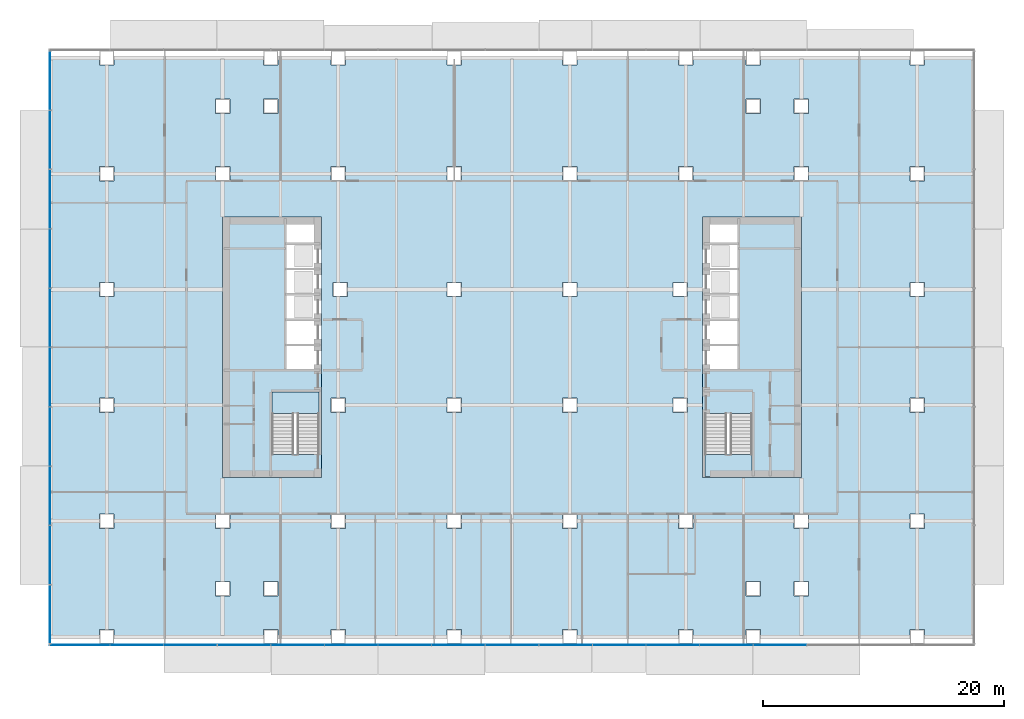
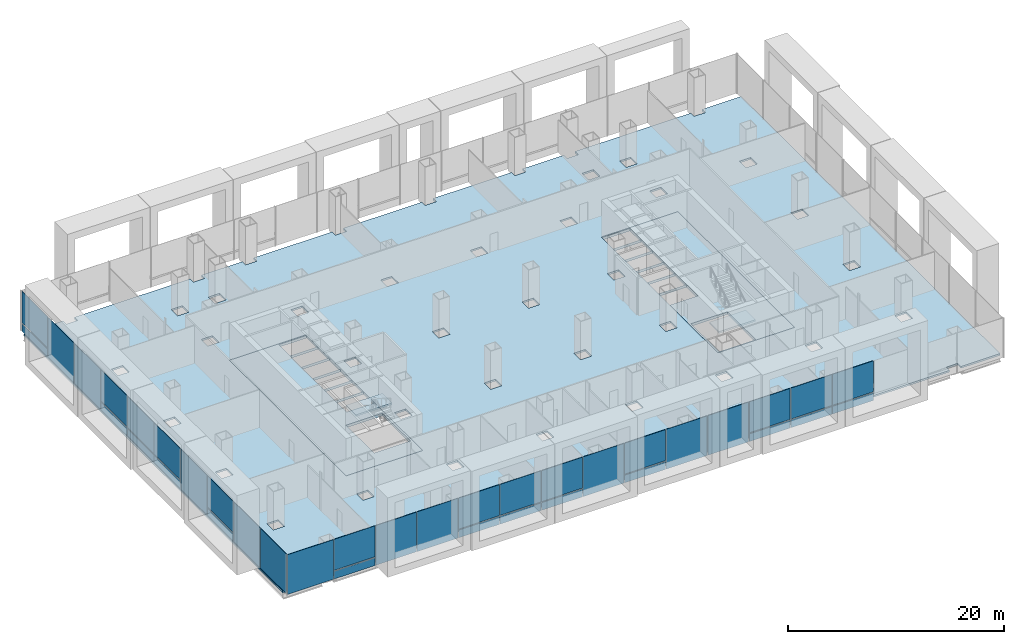
# One storey, part 12 of 23: 37 plates, 5 slabs, 4 elements without a shape of their own.
"""IFC4 building model written with IfcOpenShell, lengths in metres."""

import ifcopenshell
import ifcopenshell.guid

model = None  # the IFC model being written
_history = None  # IfcOwnerHistory: only IFC2X3 demands one
_inside = {}  # id of a spatial element -> (the spatial element, [elements in it])
_under = {}  # id of a project, library or spatial element -> (it, [spatial elements below it])
_declared = {}  # id of a project -> (the project, [libraries it declares])
_typed = {}  # id of a type object -> (the type object, [elements of that type])
_made_of = {}  # id of a material, layer set ... -> (it, [elements and type objects made of it])


def new_model(schema):
    """Start an empty IFC model of exactly this schema.

    Asked for "IFC4X3", IfcOpenShell would pick the latest addendum, in which some entities
    have other attributes; the version numbers below select the first issue.
    IFC2X3 requires an IfcOwnerHistory on every rooted entity: one is made here for all.
    """
    global model, _history
    if schema == "IFC4X3":
        model = ifcopenshell.file(schema_version=(4, 3, 0, 0))
    else:
        model = ifcopenshell.file(schema=schema)
    _inside.clear()
    _under.clear()
    _declared.clear()
    _typed.clear()
    _made_of.clear()
    _history = None
    if model.schema == "IFC2X3":
        org = make("IfcOrganization", Name="unknown")
        user = make(
            "IfcPersonAndOrganization",
            ThePerson=make("IfcPerson", FamilyName="unknown"),
            TheOrganization=org,
        )
        app = make(
            "IfcApplication",
            ApplicationDeveloper=org,
            Version="unknown",
            ApplicationFullName="unknown",
            ApplicationIdentifier="unknown",
        )
        _history = make(
            "IfcOwnerHistory",
            OwningUser=user,
            OwningApplication=app,
            ChangeAction="ADDED",
            CreationDate=0,
        )
    return model


def make(cls, **values):
    """One entity of the class cls with the attributes given. An attribute that is None is left unset."""
    return model.create_entity(
        cls, **{name: value for name, value in values.items() if value is not None}
    )


def rooted(cls, **values):
    """An entity with a GlobalId (a new one), such as an element, a storey or a relation."""
    return make(cls, GlobalId=ifcopenshell.guid.new(), OwnerHistory=_history, **values)


def si_unit(unit_type, name, prefix=None):
    """IfcSIUnit, for example si_unit("LENGTHUNIT", "METRE", prefix="MILLI")."""
    return make("IfcSIUnit", UnitType=unit_type, Prefix=prefix, Name=name)


def assignment(units):
    """IfcUnitAssignment: the units of a project."""
    return None if units is None else make("IfcUnitAssignment", Units=units)


def point(xyz):
    """IfcCartesianPoint."""
    return None if xyz is None else make("IfcCartesianPoint", Coordinates=xyz)


def direction(xyz):
    """IfcDirection."""
    return None if xyz is None else make("IfcDirection", DirectionRatios=xyz)


def frame(location, z_axis=None, x_axis=None):
    """IfcAxis2Placement3D, a coordinate frame: its origin and axes. An axis left out is left unset."""
    return make(
        "IfcAxis2Placement3D",
        Location=point(location),
        Axis=direction(z_axis),
        RefDirection=direction(x_axis),
    )


def frame_2d(location, x_axis=None):
    """IfcAxis2Placement2D, a coordinate frame in the plane: its origin and x axis."""
    return make(
        "IfcAxis2Placement2D", Location=point(location), RefDirection=direction(x_axis)
    )


def origin():
    """The frame at (0, 0, 0) with its axes left unset."""
    return frame((0.0, 0.0, 0.0))


def origin_2d():
    """The frame at (0, 0) in the plane with its x axis left unset."""
    return frame_2d((0.0, 0.0))


def place(relative_to, where):
    """IfcLocalPlacement: puts the frame where relative to a parent placement (None: the world)."""
    return make(
        "IfcLocalPlacement", PlacementRelTo=relative_to, RelativePlacement=where
    )


def context(
    kind, dimensions, precision=None, world=None, true_north=None, identifier=None
):
    """IfcGeometricRepresentationContext, for example the 3D "Model" context."""
    return make(
        "IfcGeometricRepresentationContext",
        ContextIdentifier=identifier,
        ContextType=kind,
        CoordinateSpaceDimension=dimensions,
        Precision=precision,
        WorldCoordinateSystem=world,
        TrueNorth=true_north,
    )


def subcontext(parent, identifier, kind, view, scale=None):
    """IfcGeometricRepresentationSubContext, for example "Body" below "Model"."""
    return make(
        "IfcGeometricRepresentationSubContext",
        ContextIdentifier=identifier,
        ContextType=kind,
        ParentContext=parent,
        TargetScale=scale,
        TargetView=view,
    )


def project(units=None, contexts=None):
    """IfcProject with its units and contexts."""
    return rooted(
        "IfcProject",
        Name="project",
        RepresentationContexts=contexts,
        UnitsInContext=assignment(units),
    )


def spatial(cls, under=None, at=None, **own):
    """A site, building, storey or space (cls), placed at a placement, below another one or the project."""
    s = rooted(cls, ObjectPlacement=at, **own)
    if under is not None:
        _under.setdefault(under.id(), (under, []))[1].append(s)
    return s


def polyline(points):
    """IfcPolyline through the points."""
    return make("IfcPolyline", Points=[point(p) for p in points])


def profile(cls, at=None, kind="AREA", **sizes):
    """A parametric profile (cls). Its sizes go by their IFC names, for example OverallWidth=200.0."""
    return make(cls, ProfileType=kind, Position=at, **sizes)


def rectangle(**sizes):
    """IfcRectangleProfileDef."""
    return profile("IfcRectangleProfileDef", **sizes)


def outline(outer, holes=None, kind="AREA"):
    """IfcArbitraryClosedProfileDef: a profile drawn as a closed curve; with holes, ...WithVoids."""
    if holes is None:
        return make("IfcArbitraryClosedProfileDef", ProfileType=kind, OuterCurve=outer)
    return make(
        "IfcArbitraryProfileDefWithVoids",
        ProfileType=kind,
        OuterCurve=outer,
        InnerCurves=holes,
    )


def extrude(swept, where, along, depth):
    """IfcExtrudedAreaSolid: the profile swept, set in the frame where, extruded along a direction by depth."""
    return make(
        "IfcExtrudedAreaSolid",
        SweptArea=swept,
        Position=where,
        ExtrudedDirection=direction(along),
        Depth=depth,
    )


def shape(context_of_items, identifier, shape_type, items):
    """IfcShapeRepresentation: the items that make up one representation, for example the "Body"."""
    return make(
        "IfcShapeRepresentation",
        ContextOfItems=context_of_items,
        RepresentationIdentifier=identifier,
        RepresentationType=shape_type,
        Items=items,
    )


def material(Name=None, Category=None):
    """IfcMaterial."""
    return make("IfcMaterial", Name=Name, Category=Category)


def layer(
    of_material, thickness, ventilated=None, Name=None, Category=None, Priority=None
):
    """IfcMaterialLayer: one layer of a wall or slab, of a material (None: an air gap)."""
    return make(
        "IfcMaterialLayer",
        Material=of_material,
        LayerThickness=thickness,
        IsVentilated=ventilated,
        Name=Name,
        Category=Category,
        Priority=Priority,
    )


def layer_set(layers, Name=None):
    """IfcMaterialLayerSet."""
    return make("IfcMaterialLayerSet", MaterialLayers=layers, LayerSetName=Name)


def made_of(thing, what):
    """Note that an element or type object is made of a material, layer set ...; save() writes the relation."""
    if what is not None:
        _made_of.setdefault(what.id(), (what, []))[1].append(thing)
    return thing


def type_object(cls, material=None, **own):
    """A type object (cls), such as IfcWallType, which elements share."""
    return made_of(rooted(cls, **own), material)


def element(
    cls,
    number,
    at=None,
    inside=None,
    cuts=None,
    type_object=None,
    material=None,
    context=None,
    identifier="Body",
    shape_type=None,
    held_by="IfcProductDefinitionShape",
    body=None,
    shapes=None,
    **own,
):
    """One element of the class cls, such as IfcWall. Its Tag is "e" and its number.

    at: its placement. inside: the storey or other place that contains it. cuts: it is an
    opening in that element (IfcRelVoidsElement). A single representation is given by context,
    identifier, shape_type and body (its items); several are given by shapes. held_by: the class
    of the entity that holds the representations. save() writes the other relations.
    """
    e = rooted(cls, Tag="e%d" % number, ObjectPlacement=at, **own)
    if body is not None:
        shapes = [shape(context, identifier, shape_type, body)]
    if shapes is not None:
        e.Representation = make(held_by, Representations=shapes)
    if inside is not None:
        _inside.setdefault(inside.id(), (inside, []))[1].append(e)
    if cuts is not None:
        rooted(
            "IfcRelVoidsElement", RelatingBuildingElement=cuts, RelatedOpeningElement=e
        )
    if type_object is not None:
        _typed.setdefault(type_object.id(), (type_object, []))[1].append(e)
    return made_of(e, material)


def aggregate(whole, parts):
    """IfcRelAggregates: a whole, such as a stair, and the parts it consists of."""
    return rooted("IfcRelAggregates", RelatingObject=whole, RelatedObjects=parts)


def save(model, path):
    """Write the relations noted so far, then the file.

    IfcRelAggregates (storeys below a building ...), IfcRelContainedInSpatialStructure (elements
    in a storey), IfcRelDefinesByType, IfcRelAssociatesMaterial and IfcRelDeclares: one each for
    every whole, place, type object, material and project.
    """
    for whole, parts in _under.values():
        aggregate(whole, parts)
    for where, things in _inside.values():
        rooted(
            "IfcRelContainedInSpatialStructure",
            RelatedElements=things,
            RelatingStructure=where,
        )
    for kind, things in _typed.values():
        rooted("IfcRelDefinesByType", RelatedObjects=things, RelatingType=kind)
    for what, things in _made_of.values():
        rooted("IfcRelAssociatesMaterial", RelatedObjects=things, RelatingMaterial=what)
    for by, libraries in _declared.values():
        rooted("IfcRelDeclares", RelatingContext=by, RelatedDefinitions=libraries)
    model.write(path)


model = new_model("IFC4")

# Units and contexts
model_context = context("Model", 3, precision=1e-05, world=origin(), true_north=direction((0.0, 1.0)))
body_context = subcontext(model_context, "Body", "Model", "MODEL_VIEW")
ifc_project = project(units=[si_unit("LENGTHUNIT", "METRE"), si_unit("AREAUNIT", "SQUARE_METRE"), si_unit("VOLUMEUNIT", "CUBIC_METRE"), si_unit("PLANEANGLEUNIT", "RADIAN"), si_unit("MASSUNIT", "GRAM", prefix="KILO")], contexts=[model_context])

# Site, building, storey
site_placement = place(None, origin())
site = spatial("IfcSite", under=ifc_project, at=site_placement, CompositionType="ELEMENT")
building_placement = place(site_placement, origin())
building = spatial("IfcBuilding", under=site, at=building_placement, Name="Cobrizo Arcos Hotel Tower", CompositionType="ELEMENT")
storey_placement = place(building_placement, frame((0.0, 0.0, 24.5)))
storey = spatial("IfcBuildingStorey", under=building, at=storey_placement, Name="L04", CompositionType="ELEMENT", Elevation=24.5)

# Curtain wall, plates
ifc_material_1 = material(Name="Aluminium 6063-T6 anodised bronze", Category="aluminium")
curtain_wall_type_1 = type_object("IfcCurtainWallType", Name="CW-A guest facade", PredefinedType="NOTDEFINED", material=ifc_material_1)
curtain_wall_1_placement = place(storey_placement, origin())
curtain_wall_1 = element("IfcCurtainWall", 1, at=curtain_wall_1_placement, inside=storey, type_object=curtain_wall_type_1, Name="CW-A L04 S face", PredefinedType="NOTDEFINED")
ifc_material_2 = material(Name="Glass clear laminated low-e", Category="glass")
ifc_layer_1 = layer(ifc_material_2, 0.0400390625)
ifc_layer_set_1 = layer_set([ifc_layer_1], Name="CW-A glass panel")
plate_type_1 = type_object("IfcPlateType", Name="CW-A glass panel", PredefinedType="CURTAIN_PANEL", material=ifc_layer_set_1)
plate_1_placement = place(storey_placement, frame((-31.111083984375, -24.675048828125, 0.990234375), z_axis=(0.0, 0.0, 1.0), x_axis=(1.0, 0.0, 0.0)))
plate_1 = element("IfcPlate", 2, at=plate_1_placement, type_object=plate_type_1, Name="CW-A glass panel 253", PredefinedType="CURTAIN_PANEL", context=body_context, shape_type="SweptSolid", body=[
    extrude(rectangle(XDim=4.384521484375, YDim=0.0400390625, at=origin_2d()), origin(), (0.0, 0.0, 1.0), 3.510009765625),
])
plate_2_placement = place(storey_placement, frame((-17.77783203125, -24.675048828125, 0.990234375), z_axis=(0.0, 0.0, 1.0), x_axis=(1.0, 0.0, 0.0)))
plate_2 = element("IfcPlate", 3, at=plate_2_placement, type_object=plate_type_1, Name="CW-A glass panel 256", PredefinedType="CURTAIN_PANEL", context=body_context, shape_type="SweptSolid", body=[
    extrude(rectangle(XDim=4.384521484375, YDim=0.0400390625, at=origin_2d()), origin(), (0.0, 0.0, 1.0), 3.510009765625),
])
plate_3_placement = place(storey_placement, frame((-13.333251953125, -24.675048828125, 0.990234375), z_axis=(0.0, 0.0, 1.0), x_axis=(1.0, 0.0, 0.0)))
plate_3 = element("IfcPlate", 4, at=plate_3_placement, type_object=plate_type_1, Name="CW-A glass panel 257", PredefinedType="CURTAIN_PANEL", context=body_context, shape_type="SweptSolid", body=[
    extrude(rectangle(XDim=4.384521484375, YDim=0.0400390625, at=origin_2d()), origin(), (0.0, 0.0, 1.0), 3.510009765625),
])
plate_4_placement = place(storey_placement, frame((-8.888916015625, -24.675048828125, 0.990234375), z_axis=(0.0, 0.0, 1.0), x_axis=(1.0, 0.0, 0.0)))
plate_4 = element("IfcPlate", 5, at=plate_4_placement, type_object=plate_type_1, Name="CW-A glass panel 258", PredefinedType="CURTAIN_PANEL", context=body_context, shape_type="SweptSolid", body=[
    extrude(rectangle(XDim=4.384521484375, YDim=0.0400390625, at=origin_2d()), origin(), (0.0, 0.0, 1.0), 3.510009765625),
])
plate_5_placement = place(storey_placement, frame((0.0, -24.675048828125, 0.990234375), z_axis=(0.0, 0.0, 1.0), x_axis=(1.0, 0.0, 0.0)))
plate_5 = element("IfcPlate", 6, at=plate_5_placement, type_object=plate_type_1, Name="CW-A glass panel 260", PredefinedType="CURTAIN_PANEL", context=body_context, shape_type="SweptSolid", body=[
    extrude(rectangle(XDim=4.384521484375, YDim=0.0400390625, at=origin_2d()), origin(), (0.0, 0.0, 1.0), 3.510009765625),
])
plate_6_placement = place(storey_placement, frame((13.333251953125, -24.675048828125, 0.990234375), z_axis=(0.0, 0.0, 1.0), x_axis=(1.0, 0.0, 0.0)))
plate_6 = element("IfcPlate", 7, at=plate_6_placement, type_object=plate_type_1, Name="CW-A glass panel 263", PredefinedType="CURTAIN_PANEL", context=body_context, shape_type="SweptSolid", body=[
    extrude(rectangle(XDim=4.384521484375, YDim=0.0400390625, at=origin_2d()), origin(), (0.0, 0.0, 1.0), 3.510009765625),
])
plate_7_placement = place(storey_placement, frame((17.77783203125, -24.675048828125, 0.990234375), z_axis=(0.0, 0.0, 1.0), x_axis=(1.0, 0.0, 0.0)))
plate_7 = element("IfcPlate", 8, at=plate_7_placement, type_object=plate_type_1, Name="CW-A glass panel 264", PredefinedType="CURTAIN_PANEL", context=body_context, shape_type="SweptSolid", body=[
    extrude(rectangle(XDim=4.384521484375, YDim=0.0400390625, at=origin_2d()), origin(), (0.0, 0.0, 1.0), 3.510009765625),
])
plate_8_placement = place(storey_placement, frame((22.22216796875, -24.675048828125, 0.990234375), z_axis=(0.0, 0.0, 1.0), x_axis=(1.0, 0.0, 0.0)))
plate_8 = element("IfcPlate", 9, at=plate_8_placement, type_object=plate_type_1, Name="CW-A glass panel 265", PredefinedType="CURTAIN_PANEL", context=body_context, shape_type="SweptSolid", body=[
    extrude(rectangle(XDim=4.384521484375, YDim=0.0400390625, at=origin_2d()), origin(), (0.0, 0.0, 1.0), 3.510009765625),
])
ifc_material_3 = material(Name="Aluminium composite panel pale metal", Category="aluminium")
ifc_layer_2 = layer(ifc_material_3, 0.0400390625)
ifc_layer_set_2 = layer_set([ifc_layer_2], Name="CW-A spandrel panel")
plate_type_2 = type_object("IfcPlateType", Name="CW-A spandrel panel", PredefinedType="CURTAIN_PANEL", material=ifc_layer_set_2)
plate_9_placement = place(storey_placement, frame((-35.839111328125, -24.675048828125, 0.0), z_axis=(0.0, 0.0, 1.0), x_axis=(1.0, 0.0, 0.0)))
plate_9 = element("IfcPlate", 10, at=plate_9_placement, type_object=plate_type_2, Name="CW-A spandrel panel 252", PredefinedType="CURTAIN_PANEL", context=body_context, shape_type="SweptSolid", body=[
    extrude(rectangle(XDim=4.95166015625, YDim=0.0400390625, at=origin_2d()), origin(), (0.0, 0.0, 1.0), 4.5),
])
plate_10_placement = place(storey_placement, frame((-31.111083984375, -24.675048828125, 0.0), z_axis=(0.0, 0.0, 1.0), x_axis=(1.0, 0.0, 0.0)))
plate_10 = element("IfcPlate", 11, at=plate_10_placement, type_object=plate_type_2, Name="CW-A spandrel panel 253", PredefinedType="CURTAIN_PANEL", context=body_context, shape_type="SweptSolid", body=[
    extrude(rectangle(XDim=4.384521484375, YDim=0.0400390625, at=origin_2d()), origin(), (0.0, 0.0, 1.0), 0.8701171875),
])
plate_11_placement = place(storey_placement, frame((-26.666748046875, -24.675048828125, 0.0), z_axis=(0.0, 0.0, 1.0), x_axis=(1.0, 0.0, 0.0)))
plate_11 = element("IfcPlate", 12, at=plate_11_placement, type_object=plate_type_2, Name="CW-A spandrel panel 254", PredefinedType="CURTAIN_PANEL", context=body_context, shape_type="SweptSolid", body=[
    extrude(rectangle(XDim=4.384521484375, YDim=0.0400390625, at=origin_2d()), origin(), (0.0, 0.0, 1.0), 4.5),
])
plate_12_placement = place(storey_placement, frame((-22.22216796875, -24.675048828125, 0.0), z_axis=(0.0, 0.0, 1.0), x_axis=(1.0, 0.0, 0.0)))
plate_12 = element("IfcPlate", 13, at=plate_12_placement, type_object=plate_type_2, Name="CW-A spandrel panel 255", PredefinedType="CURTAIN_PANEL", context=body_context, shape_type="SweptSolid", body=[
    extrude(rectangle(XDim=4.384521484375, YDim=0.0400390625, at=origin_2d()), origin(), (0.0, 0.0, 1.0), 4.5),
])
plate_13_placement = place(storey_placement, frame((-17.77783203125, -24.675048828125, 0.0), z_axis=(0.0, 0.0, 1.0), x_axis=(1.0, 0.0, 0.0)))
plate_13 = element("IfcPlate", 14, at=plate_13_placement, type_object=plate_type_2, Name="CW-A spandrel panel 256", PredefinedType="CURTAIN_PANEL", context=body_context, shape_type="SweptSolid", body=[
    extrude(rectangle(XDim=4.384521484375, YDim=0.0400390625, at=origin_2d()), origin(), (0.0, 0.0, 1.0), 0.8701171875),
])
plate_14_placement = place(storey_placement, frame((-13.333251953125, -24.675048828125, 0.0), z_axis=(0.0, 0.0, 1.0), x_axis=(1.0, 0.0, 0.0)))
plate_14 = element("IfcPlate", 15, at=plate_14_placement, type_object=plate_type_2, Name="CW-A spandrel panel 257", PredefinedType="CURTAIN_PANEL", context=body_context, shape_type="SweptSolid", body=[
    extrude(rectangle(XDim=4.384521484375, YDim=0.0400390625, at=origin_2d()), origin(), (0.0, 0.0, 1.0), 0.8701171875),
])
plate_15_placement = place(storey_placement, frame((-8.888916015625, -24.675048828125, 0.0), z_axis=(0.0, 0.0, 1.0), x_axis=(1.0, 0.0, 0.0)))
plate_15 = element("IfcPlate", 16, at=plate_15_placement, type_object=plate_type_2, Name="CW-A spandrel panel 258", PredefinedType="CURTAIN_PANEL", context=body_context, shape_type="SweptSolid", body=[
    extrude(rectangle(XDim=4.384521484375, YDim=0.0400390625, at=origin_2d()), origin(), (0.0, 0.0, 1.0), 0.8701171875),
])
plate_16_placement = place(storey_placement, frame((-4.4443359375, -24.675048828125, 0.0), z_axis=(0.0, 0.0, 1.0), x_axis=(1.0, 0.0, 0.0)))
plate_16 = element("IfcPlate", 17, at=plate_16_placement, type_object=plate_type_2, Name="CW-A spandrel panel 259", PredefinedType="CURTAIN_PANEL", context=body_context, shape_type="SweptSolid", body=[
    extrude(rectangle(XDim=4.384521484375, YDim=0.0400390625, at=origin_2d()), origin(), (0.0, 0.0, 1.0), 4.5),
])
plate_17_placement = place(storey_placement, frame((0.0, -24.675048828125, 0.0), z_axis=(0.0, 0.0, 1.0), x_axis=(1.0, 0.0, 0.0)))
plate_17 = element("IfcPlate", 18, at=plate_17_placement, type_object=plate_type_2, Name="CW-A spandrel panel 260", PredefinedType="CURTAIN_PANEL", context=body_context, shape_type="SweptSolid", body=[
    extrude(rectangle(XDim=4.384521484375, YDim=0.0400390625, at=origin_2d()), origin(), (0.0, 0.0, 1.0), 0.8701171875),
])
plate_18_placement = place(storey_placement, frame((4.4443359375, -24.675048828125, 0.0), z_axis=(0.0, 0.0, 1.0), x_axis=(1.0, 0.0, 0.0)))
plate_18 = element("IfcPlate", 19, at=plate_18_placement, type_object=plate_type_2, Name="CW-A spandrel panel 261", PredefinedType="CURTAIN_PANEL", context=body_context, shape_type="SweptSolid", body=[
    extrude(rectangle(XDim=4.384521484375, YDim=0.0400390625, at=origin_2d()), origin(), (0.0, 0.0, 1.0), 4.5),
])
plate_19_placement = place(storey_placement, frame((8.888916015625, -24.675048828125, 0.0), z_axis=(0.0, 0.0, 1.0), x_axis=(1.0, 0.0, 0.0)))
plate_19 = element("IfcPlate", 20, at=plate_19_placement, type_object=plate_type_2, Name="CW-A spandrel panel 262", PredefinedType="CURTAIN_PANEL", context=body_context, shape_type="SweptSolid", body=[
    extrude(rectangle(XDim=4.384521484375, YDim=0.0400390625, at=origin_2d()), origin(), (0.0, 0.0, 1.0), 4.5),
])
plate_20_placement = place(storey_placement, frame((13.333251953125, -24.675048828125, 0.0), z_axis=(0.0, 0.0, 1.0), x_axis=(1.0, 0.0, 0.0)))
plate_20 = element("IfcPlate", 21, at=plate_20_placement, type_object=plate_type_2, Name="CW-A spandrel panel 263", PredefinedType="CURTAIN_PANEL", context=body_context, shape_type="SweptSolid", body=[
    extrude(rectangle(XDim=4.384521484375, YDim=0.0400390625, at=origin_2d()), origin(), (0.0, 0.0, 1.0), 0.8701171875),
])
plate_21_placement = place(storey_placement, frame((17.77783203125, -24.675048828125, 0.0), z_axis=(0.0, 0.0, 1.0), x_axis=(1.0, 0.0, 0.0)))
plate_21 = element("IfcPlate", 22, at=plate_21_placement, type_object=plate_type_2, Name="CW-A spandrel panel 264", PredefinedType="CURTAIN_PANEL", context=body_context, shape_type="SweptSolid", body=[
    extrude(rectangle(XDim=4.384521484375, YDim=0.0400390625, at=origin_2d()), origin(), (0.0, 0.0, 1.0), 0.8701171875),
])
plate_22_placement = place(storey_placement, frame((22.22216796875, -24.675048828125, 0.0), z_axis=(0.0, 0.0, 1.0), x_axis=(1.0, 0.0, 0.0)))
plate_22 = element("IfcPlate", 23, at=plate_22_placement, type_object=plate_type_2, Name="CW-A spandrel panel 265", PredefinedType="CURTAIN_PANEL", context=body_context, shape_type="SweptSolid", body=[
    extrude(rectangle(XDim=4.384521484375, YDim=0.0400390625, at=origin_2d()), origin(), (0.0, 0.0, 1.0), 0.8701171875),
])
aggregate(curtain_wall_1, [plate_9, plate_10, plate_1, plate_11, plate_12, plate_13, plate_2, plate_14, plate_3, plate_15, plate_4, plate_16, plate_17, plate_5, plate_18, plate_19, plate_20, plate_6, plate_21, plate_7, plate_22, plate_8])

curtain_wall_type_2 = type_object("IfcCurtainWallType", Name="CW-B podium glazing", PredefinedType="NOTDEFINED", material=ifc_material_1)
curtain_wall_2_placement = place(storey_placement, origin())
curtain_wall_2 = element("IfcCurtainWall", 24, at=curtain_wall_2_placement, inside=storey, type_object=curtain_wall_type_2, Name="CW-B L04 W face", PredefinedType="NOTDEFINED")
ifc_layer_3 = layer(ifc_material_2, 0.0400390625)
ifc_layer_set_3 = layer_set([ifc_layer_3], Name="CW-B glass panel")
plate_type_3 = type_object("IfcPlateType", Name="CW-B glass panel", PredefinedType="CURTAIN_PANEL", material=ifc_layer_set_3)
plate_23_placement = place(storey_placement, frame((-38.300048828125, 22.1201171875, 0.97998046875), z_axis=(0.0, 0.0, 1.0), x_axis=(0.0, -1.0, 0.0)))
plate_23 = element("IfcPlate", 25, at=plate_23_placement, type_object=plate_type_3, Name="CW-B glass panel 242", PredefinedType="CURTAIN_PANEL", context=body_context, shape_type="SweptSolid", body=[
    extrude(rectangle(XDim=4.800048828125, YDim=0.0400390625, at=origin_2d()), origin(), (0.0, 0.0, 1.0), 3.52001953125),
])
plate_24_placement = place(storey_placement, frame((-38.300048828125, 7.3798828125, 0.97998046875), z_axis=(0.0, 0.0, 1.0), x_axis=(0.0, -1.0, 0.0)))
plate_24 = element("IfcPlate", 26, at=plate_24_placement, type_object=plate_type_3, Name="CW-B glass panel 245", PredefinedType="CURTAIN_PANEL", context=body_context, shape_type="SweptSolid", body=[
    extrude(rectangle(XDim=4.840087890625, YDim=0.0400390625, at=origin_2d()), origin(), (0.0, 0.0, 1.0), 3.52001953125),
])
plate_25_placement = place(storey_placement, frame((-38.300048828125, 2.4599609375, 0.97998046875), z_axis=(0.0, 0.0, 1.0), x_axis=(0.0, -1.0, 0.0)))
plate_25 = element("IfcPlate", 27, at=plate_25_placement, type_object=plate_type_3, Name="CW-B glass panel 246", PredefinedType="CURTAIN_PANEL", context=body_context, shape_type="SweptSolid", body=[
    extrude(rectangle(XDim=4.840087890625, YDim=0.0400390625, at=origin_2d()), origin(), (0.0, 0.0, 1.0), 3.52001953125),
])
plate_26_placement = place(storey_placement, frame((-38.300048828125, -2.4599609375, 0.97998046875), z_axis=(0.0, 0.0, 1.0), x_axis=(0.0, -1.0, 0.0)))
plate_26 = element("IfcPlate", 28, at=plate_26_placement, type_object=plate_type_3, Name="CW-B glass panel 247", PredefinedType="CURTAIN_PANEL", context=body_context, shape_type="SweptSolid", body=[
    extrude(rectangle(XDim=4.840087890625, YDim=0.0400390625, at=origin_2d()), origin(), (0.0, 0.0, 1.0), 3.52001953125),
])
plate_27_placement = place(storey_placement, frame((-38.300048828125, -12.300048828125, 0.97998046875), z_axis=(0.0, 0.0, 1.0), x_axis=(0.0, -1.0, 0.0)))
plate_27 = element("IfcPlate", 29, at=plate_27_placement, type_object=plate_type_3, Name="CW-B glass panel 249", PredefinedType="CURTAIN_PANEL", context=body_context, shape_type="SweptSolid", body=[
    extrude(rectangle(XDim=4.840087890625, YDim=0.0400390625, at=origin_2d()), origin(), (0.0, 0.0, 1.0), 3.52001953125),
])
ifc_layer_4 = layer(ifc_material_3, 0.06005859375)
ifc_layer_set_4 = layer_set([ifc_layer_4], Name="CW-B spandrel panel")
plate_type_4 = type_object("IfcPlateType", Name="CW-B spandrel panel", PredefinedType="CURTAIN_PANEL", material=ifc_layer_set_4)
plate_28_placement = place(storey_placement, frame((-38.300048828125, 22.1201171875, 0.0), z_axis=(0.0, 0.0, 1.0), x_axis=(0.0, -1.0, 0.0)))
plate_28 = element("IfcPlate", 30, at=plate_28_placement, type_object=plate_type_4, Name="CW-B spandrel panel 242", PredefinedType="CURTAIN_PANEL", context=body_context, shape_type="SweptSolid", body=[
    extrude(rectangle(XDim=4.800048828125, YDim=0.0400390625, at=origin_2d()), origin(), (0.0, 0.0, 1.0), 0.820068359375),
])
plate_29_placement = place(storey_placement, frame((-38.300048828125, 17.219970703125, 0.0), z_axis=(0.0, 0.0, 1.0), x_axis=(0.0, -1.0, 0.0)))
plate_29 = element("IfcPlate", 31, at=plate_29_placement, type_object=plate_type_4, Name="CW-B spandrel panel 243", PredefinedType="CURTAIN_PANEL", context=body_context, shape_type="SweptSolid", body=[
    extrude(rectangle(XDim=4.840087890625, YDim=0.0400390625, at=origin_2d()), origin(), (0.0, 0.0, 1.0), 4.5),
])
plate_30_placement = place(storey_placement, frame((-38.300048828125, 12.300048828125, 0.0), z_axis=(0.0, 0.0, 1.0), x_axis=(0.0, -1.0, 0.0)))
plate_30 = element("IfcPlate", 32, at=plate_30_placement, type_object=plate_type_4, Name="CW-B spandrel panel 244", PredefinedType="CURTAIN_PANEL", context=body_context, shape_type="SweptSolid", body=[
    extrude(rectangle(XDim=4.840087890625, YDim=0.0400390625, at=origin_2d()), origin(), (0.0, 0.0, 1.0), 4.5),
])
plate_31_placement = place(storey_placement, frame((-38.300048828125, 7.3798828125, 0.0), z_axis=(0.0, 0.0, 1.0), x_axis=(0.0, -1.0, 0.0)))
plate_31 = element("IfcPlate", 33, at=plate_31_placement, type_object=plate_type_4, Name="CW-B spandrel panel 245", PredefinedType="CURTAIN_PANEL", context=body_context, shape_type="SweptSolid", body=[
    extrude(rectangle(XDim=4.840087890625, YDim=0.0400390625, at=origin_2d()), origin(), (0.0, 0.0, 1.0), 0.820068359375),
])
plate_32_placement = place(storey_placement, frame((-38.300048828125, 2.4599609375, 0.0), z_axis=(0.0, 0.0, 1.0), x_axis=(0.0, -1.0, 0.0)))
plate_32 = element("IfcPlate", 34, at=plate_32_placement, type_object=plate_type_4, Name="CW-B spandrel panel 246", PredefinedType="CURTAIN_PANEL", context=body_context, shape_type="SweptSolid", body=[
    extrude(rectangle(XDim=4.840087890625, YDim=0.0400390625, at=origin_2d()), origin(), (0.0, 0.0, 1.0), 0.820068359375),
])
plate_33_placement = place(storey_placement, frame((-38.300048828125, -2.4599609375, 0.0), z_axis=(0.0, 0.0, 1.0), x_axis=(0.0, -1.0, 0.0)))
plate_33 = element("IfcPlate", 35, at=plate_33_placement, type_object=plate_type_4, Name="CW-B spandrel panel 247", PredefinedType="CURTAIN_PANEL", context=body_context, shape_type="SweptSolid", body=[
    extrude(rectangle(XDim=4.840087890625, YDim=0.0400390625, at=origin_2d()), origin(), (0.0, 0.0, 1.0), 0.820068359375),
])
plate_34_placement = place(storey_placement, frame((-38.300048828125, -7.3798828125, 0.0), z_axis=(0.0, 0.0, 1.0), x_axis=(0.0, -1.0, 0.0)))
plate_34 = element("IfcPlate", 36, at=plate_34_placement, type_object=plate_type_4, Name="CW-B spandrel panel 248", PredefinedType="CURTAIN_PANEL", context=body_context, shape_type="SweptSolid", body=[
    extrude(rectangle(XDim=4.840087890625, YDim=0.0400390625, at=origin_2d()), origin(), (0.0, 0.0, 1.0), 4.5),
])
plate_35_placement = place(storey_placement, frame((-38.300048828125, -12.300048828125, 0.0), z_axis=(0.0, 0.0, 1.0), x_axis=(0.0, -1.0, 0.0)))
plate_35 = element("IfcPlate", 37, at=plate_35_placement, type_object=plate_type_4, Name="CW-B spandrel panel 249", PredefinedType="CURTAIN_PANEL", context=body_context, shape_type="SweptSolid", body=[
    extrude(rectangle(XDim=4.840087890625, YDim=0.0400390625, at=origin_2d()), origin(), (0.0, 0.0, 1.0), 0.820068359375),
])
plate_36_placement = place(storey_placement, frame((-38.300048828125, -17.219970703125, 0.0), z_axis=(0.0, 0.0, 1.0), x_axis=(0.0, -1.0, 0.0)))
plate_36 = element("IfcPlate", 38, at=plate_36_placement, type_object=plate_type_4, Name="CW-B spandrel panel 250", PredefinedType="CURTAIN_PANEL", context=body_context, shape_type="SweptSolid", body=[
    extrude(rectangle(XDim=4.840087890625, YDim=0.0400390625, at=origin_2d()), origin(), (0.0, 0.0, 1.0), 4.5),
])
plate_37_placement = place(storey_placement, frame((-38.300048828125, -22.1201171875, 0.0), z_axis=(0.0, 0.0, 1.0), x_axis=(0.0, -1.0, 0.0)))
plate_37 = element("IfcPlate", 39, at=plate_37_placement, type_object=plate_type_4, Name="CW-B spandrel panel 251", PredefinedType="CURTAIN_PANEL", context=body_context, shape_type="SweptSolid", body=[
    extrude(rectangle(XDim=4.800048828125, YDim=0.0400390625, at=origin_2d()), origin(), (0.0, 0.0, 1.0), 4.5),
])
aggregate(curtain_wall_2, [plate_28, plate_23, plate_29, plate_30, plate_31, plate_24, plate_32, plate_25, plate_33, plate_26, plate_34, plate_35, plate_27, plate_36, plate_37])

# Slabs
ifc_material_4 = material(Name="Concrete f'c 35 MPa", Category="concrete")
ifc_layer_5 = layer(ifc_material_4, 0.199951171875)
ifc_layer_set_5 = layer_set([ifc_layer_5], Name="Composite floor slab 200 f'c 35")
slab_type_1 = type_object("IfcSlabType", Name="Composite floor slab 200 f'c 35", PredefinedType="FLOOR", material=ifc_layer_set_5)
slab_1_placement = place(storey_placement, frame((0.0, 0.0, -0.199951171875)))
element("IfcSlab", 40, at=slab_1_placement, inside=storey, type_object=slab_type_1, Name="Floor slab S4, L04, no. 01", PredefinedType="FLOOR", context=body_context, shape_type="SweptSolid", body=[
    extrude(outline(polyline([(38.39990234375, 24.0), (38.39990234375, -24.0), (34.199951171875, -24.0), (34.199951171875, -23.39990234375), (33.0, -23.39990234375), (33.0, -24.0), (20.60009765625, -24.0), (20.60009765625, -23.39990234375), (19.39990234375, -23.39990234375), (19.39990234375, -24.0), (15.0, -24.0), (15.0, -23.39990234375), (13.800048828125, -23.39990234375), (13.800048828125, -24.0), (5.39990234375, -24.0), (5.39990234375, -23.39990234375), (4.199951171875, -23.39990234375), (4.199951171875, -24.0), (-4.199951171875, -24.0), (-4.199951171875, -23.39990234375), (-5.39990234375, -23.39990234375), (-5.39990234375, -24.0), (-13.800048828125, -24.0), (-13.800048828125, -23.39990234375), (-15.0, -23.39990234375), (-15.0, -24.0), (-19.39990234375, -24.0), (-19.39990234375, -23.39990234375), (-20.60009765625, -23.39990234375), (-20.60009765625, -24.0), (-33.0, -24.0), (-33.0, -23.39990234375), (-34.199951171875, -23.39990234375), (-34.199951171875, -24.0), (-38.39990234375, -24.0), (-38.39990234375, 24.0), (-34.199951171875, 24.0), (-34.199951171875, 23.39990234375), (-33.0, 23.39990234375), (-33.0, 24.0), (-20.60009765625, 24.0), (-20.60009765625, 23.39990234375), (-19.39990234375, 23.39990234375), (-19.39990234375, 24.0), (-15.0, 24.0), (-15.0, 23.39990234375), (-13.800048828125, 23.39990234375), (-13.800048828125, 24.0), (-5.39990234375, 24.0), (-5.39990234375, 23.39990234375), (-4.199951171875, 23.39990234375), (-4.199951171875, 24.0), (4.199951171875, 24.0), (4.199951171875, 23.39990234375), (5.39990234375, 23.39990234375), (5.39990234375, 24.0), (13.800048828125, 24.0), (13.800048828125, 23.39990234375), (15.0, 23.39990234375), (15.0, 24.0), (19.39990234375, 24.0), (19.39990234375, 23.39990234375), (20.60009765625, 23.39990234375), (20.60009765625, 24.0), (33.0, 24.0), (33.0, 23.39990234375), (34.199951171875, 23.39990234375), (34.199951171875, 24.0), (38.39990234375, 24.0)]), holes=[polyline([(-20.60009765625, -20.60009765625), (-19.39990234375, -20.60009765625), (-19.39990234375, -19.39990234375), (-20.60009765625, -19.39990234375), (-20.60009765625, -20.60009765625)]), polyline([(-23.39990234375, -20.60009765625), (-23.39990234375, -19.39990234375), (-24.60009765625, -19.39990234375), (-24.60009765625, -20.60009765625), (-23.39990234375, -20.60009765625)]), polyline([(-34.199951171875, -15.0), (-33.0, -15.0), (-33.0, -13.800048828125), (-34.199951171875, -13.800048828125), (-34.199951171875, -15.0)]), polyline([(-15.0, -15.0), (-13.800048828125, -15.0), (-13.800048828125, -13.800048828125), (-15.0, -13.800048828125), (-15.0, -15.0)]), polyline([(-23.39990234375, -15.0), (-23.39990234375, -13.800048828125), (-24.60009765625, -13.800048828125), (-24.60009765625, -15.0), (-23.39990234375, -15.0)]), polyline([(-15.0, -5.39990234375), (-13.800048828125, -5.39990234375), (-13.800048828125, -4.199951171875), (-15.0, -4.199951171875), (-15.0, -5.39990234375)]), polyline([(-34.199951171875, -5.39990234375), (-33.0, -5.39990234375), (-33.0, -4.199951171875), (-34.199951171875, -4.199951171875), (-34.199951171875, -5.39990234375)]), polyline([(-24.0, -10.800048828125), (-15.800048828125, -10.800048828125), (-15.800048828125, 10.800048828125), (-24.0, 10.800048828125), (-24.0, -10.800048828125)]), polyline([(-34.199951171875, 4.199951171875), (-33.0, 4.199951171875), (-33.0, 5.39990234375), (-34.199951171875, 5.39990234375), (-34.199951171875, 4.199951171875)]), polyline([(-24.60009765625, 13.800048828125), (-23.39990234375, 13.800048828125), (-23.39990234375, 15.0), (-24.60009765625, 15.0), (-24.60009765625, 13.800048828125)]), polyline([(-34.199951171875, 13.800048828125), (-33.0, 13.800048828125), (-33.0, 15.0), (-34.199951171875, 15.0), (-34.199951171875, 13.800048828125)]), polyline([(-13.800048828125, 13.800048828125), (-13.800048828125, 15.0), (-15.0, 15.0), (-15.0, 13.800048828125), (-13.800048828125, 13.800048828125)]), polyline([(-24.60009765625, 19.39990234375), (-23.39990234375, 19.39990234375), (-23.39990234375, 20.60009765625), (-24.60009765625, 20.60009765625), (-24.60009765625, 19.39990234375)]), polyline([(-20.60009765625, 19.39990234375), (-19.39990234375, 19.39990234375), (-19.39990234375, 20.60009765625), (-20.60009765625, 20.60009765625), (-20.60009765625, 19.39990234375)]), polyline([(13.800048828125, -15.0), (15.0, -15.0), (15.0, -13.800048828125), (13.800048828125, -13.800048828125), (13.800048828125, -15.0)]), polyline([(4.199951171875, -15.0), (5.39990234375, -15.0), (5.39990234375, -13.800048828125), (4.199951171875, -13.800048828125), (4.199951171875, -15.0)]), polyline([(-5.39990234375, -15.0), (-4.199951171875, -15.0), (-4.199951171875, -13.800048828125), (-5.39990234375, -13.800048828125), (-5.39990234375, -15.0)]), polyline([(-5.39990234375, -5.39990234375), (-4.199951171875, -5.39990234375), (-4.199951171875, -4.199951171875), (-5.39990234375, -4.199951171875), (-5.39990234375, -5.39990234375)]), polyline([(4.199951171875, -5.39990234375), (5.39990234375, -5.39990234375), (5.39990234375, -4.199951171875), (4.199951171875, -4.199951171875), (4.199951171875, -5.39990234375)]), polyline([(13.340087890625, -5.39990234375), (14.5400390625, -5.39990234375), (14.5400390625, -4.199951171875), (13.340087890625, -4.199951171875), (13.340087890625, -5.39990234375)]), polyline([(-4.199951171875, 4.199951171875), (-4.199951171875, 5.39990234375), (-5.39990234375, 5.39990234375), (-5.39990234375, 4.199951171875), (-4.199951171875, 4.199951171875)]), polyline([(4.199951171875, 4.199951171875), (5.39990234375, 4.199951171875), (5.39990234375, 5.39990234375), (4.199951171875, 5.39990234375), (4.199951171875, 4.199951171875)]), polyline([(-14.85009765625, 4.199951171875), (-13.64990234375, 4.199951171875), (-13.64990234375, 5.39990234375), (-14.85009765625, 5.39990234375), (-14.85009765625, 4.199951171875)]), polyline([(14.5400390625, 4.199951171875), (14.5400390625, 5.39990234375), (13.340087890625, 5.39990234375), (13.340087890625, 4.199951171875), (14.5400390625, 4.199951171875)]), polyline([(-5.39990234375, 13.800048828125), (-4.199951171875, 13.800048828125), (-4.199951171875, 15.0), (-5.39990234375, 15.0), (-5.39990234375, 13.800048828125)]), polyline([(4.199951171875, 13.800048828125), (5.39990234375, 13.800048828125), (5.39990234375, 15.0), (4.199951171875, 15.0), (4.199951171875, 13.800048828125)]), polyline([(23.39990234375, -20.60009765625), (24.60009765625, -20.60009765625), (24.60009765625, -19.39990234375), (23.39990234375, -19.39990234375), (23.39990234375, -20.60009765625)]), polyline([(20.60009765625, -20.60009765625), (20.60009765625, -19.39990234375), (19.39990234375, -19.39990234375), (19.39990234375, -20.60009765625), (20.60009765625, -20.60009765625)]), polyline([(23.39990234375, -15.0), (24.60009765625, -15.0), (24.60009765625, -13.800048828125), (23.39990234375, -13.800048828125), (23.39990234375, -15.0)]), polyline([(33.0, -15.0), (34.199951171875, -15.0), (34.199951171875, -13.800048828125), (33.0, -13.800048828125), (33.0, -15.0)]), polyline([(33.0, -5.39990234375), (34.199951171875, -5.39990234375), (34.199951171875, -4.199951171875), (33.0, -4.199951171875), (33.0, -5.39990234375)]), polyline([(15.800048828125, -10.800048828125), (24.0, -10.800048828125), (24.0, 10.800048828125), (15.800048828125, 10.800048828125), (15.800048828125, -10.800048828125)]), polyline([(33.0, 4.199951171875), (34.199951171875, 4.199951171875), (34.199951171875, 5.39990234375), (33.0, 5.39990234375), (33.0, 4.199951171875)]), polyline([(13.800048828125, 13.800048828125), (15.0, 13.800048828125), (15.0, 15.0), (13.800048828125, 15.0), (13.800048828125, 13.800048828125)]), polyline([(24.60009765625, 13.800048828125), (24.60009765625, 15.0), (23.39990234375, 15.0), (23.39990234375, 13.800048828125), (24.60009765625, 13.800048828125)]), polyline([(33.0, 13.800048828125), (34.199951171875, 13.800048828125), (34.199951171875, 15.0), (33.0, 15.0), (33.0, 13.800048828125)]), polyline([(19.39990234375, 19.39990234375), (20.60009765625, 19.39990234375), (20.60009765625, 20.60009765625), (19.39990234375, 20.60009765625), (19.39990234375, 19.39990234375)]), polyline([(23.39990234375, 19.39990234375), (24.60009765625, 19.39990234375), (24.60009765625, 20.60009765625), (23.39990234375, 20.60009765625), (23.39990234375, 19.39990234375)])]), origin(), (0.0, 0.0, 1.0), 0.199951171875),
])
ifc_material_5 = material(Name="Concrete f'c 60 MPa", Category="concrete")
ifc_layer_6 = layer(ifc_material_5, 0.300048828125)
ifc_layer_set_6 = layer_set([ifc_layer_6], Name="RC core floor slab 300 f'c 60")
slab_type_2 = type_object("IfcSlabType", Name="RC core floor slab 300 f'c 60", PredefinedType="FLOOR", material=ifc_layer_set_6)
slab_2_placement = place(storey_placement, frame((0.0, 0.0, -0.300048828125)))
element("IfcSlab", 41, at=slab_2_placement, inside=storey, type_object=slab_type_2, Name="Core floor slab CS2, east core, L04", PredefinedType="FLOOR", context=body_context, shape_type="SweptSolid", body=[
    extrude(outline(polyline([(15.800048828125, 10.800048828125), (24.0, 10.800048828125), (24.0, -10.800048828125), (15.800048828125, -10.800048828125), (15.800048828125, 10.800048828125)]), holes=[polyline([(19.89794921875, -10.697998046875), (19.89794921875, -5.501953125), (16.001953125, -5.501953125), (16.001953125, -10.697998046875), (19.89794921875, -10.697998046875)]), polyline([(15.802001953125, 0.197998046875), (15.802001953125, -1.89794921875), (18.798095703125, -1.89794921875), (18.798095703125, 0.197998046875), (15.802001953125, 0.197998046875)]), polyline([(18.798095703125, 2.298095703125), (15.802001953125, 2.298095703125), (15.802001953125, 0.201904296875), (18.798095703125, 0.201904296875), (18.798095703125, 2.298095703125)]), polyline([(18.798095703125, 4.39794921875), (15.802001953125, 4.39794921875), (15.802001953125, 2.302001953125), (18.798095703125, 2.302001953125), (18.798095703125, 4.39794921875)]), polyline([(15.802001953125, 6.498046875), (15.802001953125, 4.402099609375), (18.798095703125, 4.402099609375), (18.798095703125, 6.498046875), (15.802001953125, 6.498046875)]), polyline([(18.798095703125, 8.597900390625), (15.802001953125, 8.597900390625), (15.802001953125, 6.501953125), (18.798095703125, 6.501953125), (18.798095703125, 8.597900390625)]), polyline([(18.798095703125, 10.697998046875), (15.802001953125, 10.697998046875), (15.802001953125, 8.60205078125), (18.798095703125, 8.60205078125), (18.798095703125, 10.697998046875)])]), origin(), (0.0, 0.0, 1.0), 0.300048828125),
])
slab_3_placement = place(storey_placement, frame((0.0, 0.0, -0.300048828125)))
element("IfcSlab", 42, at=slab_3_placement, inside=storey, type_object=slab_type_2, Name="Core floor slab CS2, west core, L04", PredefinedType="FLOOR", context=body_context, shape_type="SweptSolid", body=[
    extrude(outline(polyline([(-24.0, 10.800048828125), (-15.800048828125, 10.800048828125), (-15.800048828125, -10.800048828125), (-24.0, -10.800048828125), (-24.0, 10.800048828125)]), holes=[polyline([(-19.89794921875, -3.701904296875), (-19.89794921875, -8.89794921875), (-16.001953125, -8.89794921875), (-16.001953125, -3.701904296875), (-19.89794921875, -3.701904296875)]), polyline([(-18.798095703125, 0.197998046875), (-18.798095703125, -1.89794921875), (-15.802001953125, -1.89794921875), (-15.802001953125, 0.197998046875), (-18.798095703125, 0.197998046875)]), polyline([(-15.802001953125, 2.298095703125), (-18.798095703125, 2.298095703125), (-18.798095703125, 0.201904296875), (-15.802001953125, 0.201904296875), (-15.802001953125, 2.298095703125)]), polyline([(-15.802001953125, 4.39794921875), (-18.798095703125, 4.39794921875), (-18.798095703125, 2.302001953125), (-15.802001953125, 2.302001953125), (-15.802001953125, 4.39794921875)]), polyline([(-18.798095703125, 6.498046875), (-18.798095703125, 4.402099609375), (-15.802001953125, 4.402099609375), (-15.802001953125, 6.498046875), (-18.798095703125, 6.498046875)]), polyline([(-15.802001953125, 8.597900390625), (-18.798095703125, 8.597900390625), (-18.798095703125, 6.501953125), (-15.802001953125, 6.501953125), (-15.802001953125, 8.597900390625)]), polyline([(-15.802001953125, 10.697998046875), (-18.798095703125, 10.697998046875), (-18.798095703125, 8.60205078125), (-15.802001953125, 8.60205078125), (-15.802001953125, 10.697998046875)])]), origin(), (0.0, 0.0, 1.0), 0.300048828125),
])

# Stair, slab
ifc_material_6 = material(Name="Concrete f'c 40 MPa", Category="concrete")
stair_type = type_object("IfcStairType", Name="Exit stair", PredefinedType="HALF_TURN_STAIR", material=ifc_material_6)
stair_1_placement = place(storey_placement, origin())
stair_1 = element("IfcStair", 43, at=stair_1_placement, inside=storey, type_object=stair_type, Name="L04 Exit stair ST-W", PredefinedType="HALF_TURN_STAIR")
ifc_layer_7 = layer(ifc_material_6, 0.199951171875)
ifc_layer_set_7 = layer_set([ifc_layer_7], Name="Stair landing")
slab_type_3 = type_object("IfcSlabType", Name="Stair landing", PredefinedType="LANDING", material=ifc_layer_set_7)
slab_4_placement = place(storey_placement, frame((0.0, 0.0, 2.050048828125)))
slab_4 = element("IfcSlab", 44, at=slab_4_placement, type_object=slab_type_3, Name="ST-W landing 1", PredefinedType="LANDING", context=body_context, shape_type="SweptSolid", body=[
    extrude(outline(polyline([(-16.0, -5.5), (-16.0, -3.699951171875), (-19.89990234375, -3.699951171875), (-19.89990234375, -5.5), (-16.0, -5.5)])), origin(), (0.0, 0.0, 1.0), 0.199951171875),
])
aggregate(stair_1, [slab_4])

stair_2_placement = place(storey_placement, origin())
stair_2 = element("IfcStair", 45, at=stair_2_placement, inside=storey, type_object=stair_type, Name="L04 Exit stair ST-E", PredefinedType="HALF_TURN_STAIR")
slab_5_placement = place(storey_placement, frame((0.0, 0.0, 2.050048828125)))
slab_5 = element("IfcSlab", 46, at=slab_5_placement, type_object=slab_type_3, Name="ST-E landing 1", PredefinedType="LANDING", context=body_context, shape_type="SweptSolid", body=[
    extrude(outline(polyline([(16.0, -8.89990234375), (16.0, -10.699951171875), (19.89990234375, -10.699951171875), (19.89990234375, -8.89990234375), (16.0, -8.89990234375)])), origin(), (0.0, 0.0, 1.0), 0.199951171875),
])
aggregate(stair_2, [slab_5])

save(model, "model.ifc")
